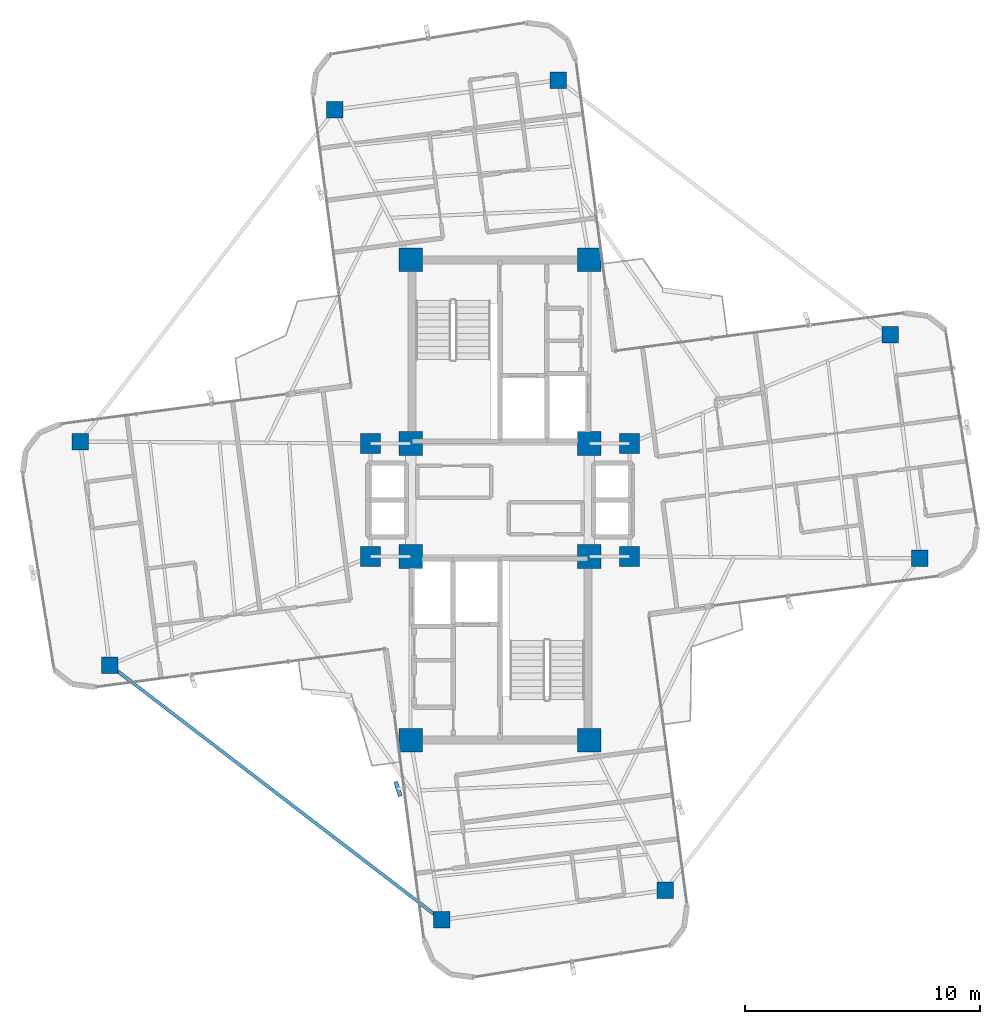
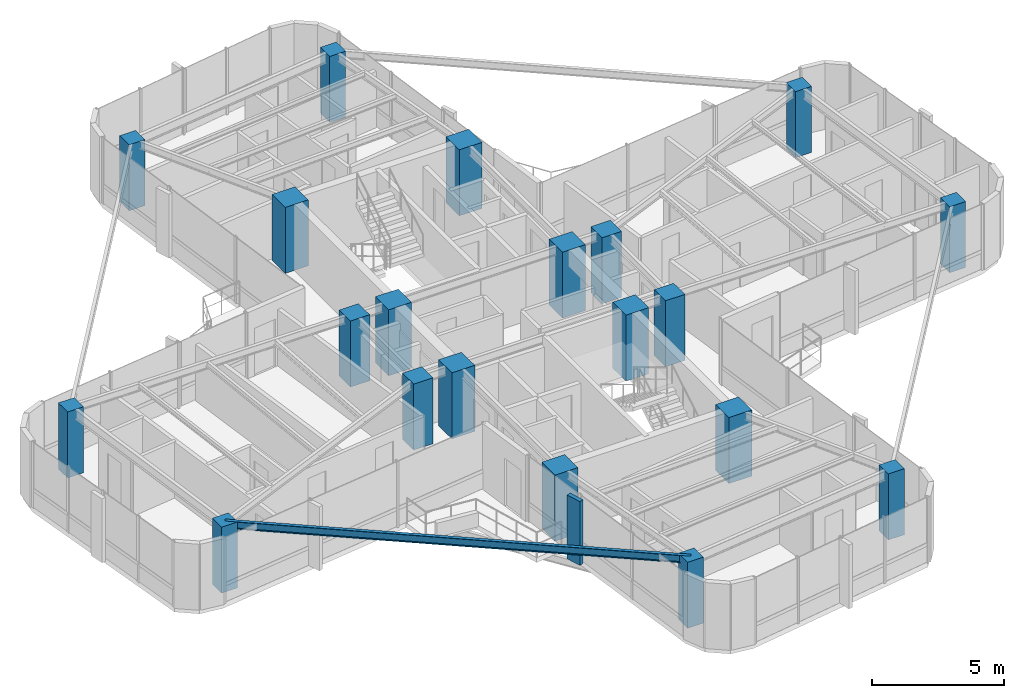
# One storey, part 1 of 23: 20 columns, 1 beam, 1 member, 1 element without a shape of its own.
"""IFC4 building model written with IfcOpenShell, lengths in metres."""

from ifc_helpers import new_model, si_unit, direction, frame, origin, origin_2d, place, context, subcontext, project, spatial, rectangle, i_section, extrude, source, transform, mapped, material, material_profile, profile_set, type_object, element, aggregate, save


model = new_model("IFC4")

# Units and contexts
model_context = context("Model", 3, precision=1e-05, world=origin(), true_north=direction((0.0, 1.0)))
body_context = subcontext(model_context, "Body", "Model", "MODEL_VIEW")
ifc_project = project(units=[si_unit("LENGTHUNIT", "METRE"), si_unit("AREAUNIT", "SQUARE_METRE"), si_unit("VOLUMEUNIT", "CUBIC_METRE"), si_unit("PLANEANGLEUNIT", "RADIAN"), si_unit("MASSUNIT", "GRAM", prefix="KILO")], contexts=[model_context])

# Site, building, storey
site_placement = place(None, origin())
site = spatial("IfcSite", under=ifc_project, at=site_placement, CompositionType="ELEMENT")
building_placement = place(site_placement, origin())
building = spatial("IfcBuilding", under=site, at=building_placement, Name="Sahyath Konkavel Grand Hotel", CompositionType="ELEMENT")
storey_placement = place(building_placement, frame((0.0, 0.0, 226.60009765625)))
storey = spatial("IfcBuildingStorey", under=building, at=storey_placement, Name="L63", CompositionType="ELEMENT", Elevation=226.60009765625)

# Columns
ifc_material_1 = material(Name="Concrete C50/60", Category="concrete")
ifc_material_profile_1 = material_profile(ifc_material_1, rectangle(XDim=1.0, YDim=1.0, at=origin_2d()), Name="RC 1000x1000")
ifc_profile_set_1 = profile_set([ifc_material_profile_1], Name="Concrete C50/60")
column_type_1 = type_object("IfcColumnType", Name="COL-RC1000", PredefinedType="COLUMN", material=ifc_profile_set_1)
shared_shape_1 = source(origin(), body_context, "Body", "SweptSolid", [
    extrude(rectangle(XDim=1.0, YDim=1.0, at=origin_2d()), origin(), (0.0, 0.0, 1.0), 3.0498046875),
])
for number, where, z_axis, x_axis, name in (
    (1, (-3.800048828125, 2.39990234375, 0.0), (0.0, 0.0, 1.0), (1.0, 0.0, 0.0), "L63 Core Boundary Column NC-SW"),
    (2, (3.800048828125, 2.39990234375, 0.0), (0.0, 0.0, 1.0), (1.0, 0.0, 0.0), "L63 Core Boundary Column NC-SE"),
    (3, (-3.800048828125, 10.199951171875, 0.0), (0.0, 0.0, 1.0), (1.0, 0.0, 0.0), "L63 Core Boundary Column NC-NW"),
    (4, (3.800048828125, 10.199951171875, 0.0), (0.0, 0.0, 1.0), (1.0, 0.0, 0.0), "L63 Core Boundary Column NC-NE"),
    (5, (-3.800048828125, -2.39990234375, 0.0), (0.0, 0.0, 1.0), (1.0, 0.0, 0.0), "L63 Core Boundary Column SC-NW"),
    (6, (3.800048828125, -2.39990234375, 0.0), (0.0, 0.0, 1.0), (1.0, 0.0, 0.0), "L63 Core Boundary Column SC-NE"),
    (7, (-3.800048828125, -10.199951171875, 0.0), (0.0, 0.0, 1.0), (1.0, 0.0, 0.0), "L63 Core Boundary Column SC-SW"),
    (8, (3.800048828125, -10.199951171875, 0.0), (0.0, 0.0, 1.0), (1.0, 0.0, 0.0), "L63 Core Boundary Column SC-SE"),
):
    element("IfcColumn", number, at=place(storey_placement, frame(where, z_axis=z_axis, x_axis=x_axis)), inside=storey, type_object=column_type_1, Name=name, PredefinedType="COLUMN", context=body_context, shape_type="MappedRepresentation", body=[
        mapped(shared_shape_1, transform((0.0, 0.0, 0.0), scale=1.0)),
    ])
ifc_material_2 = material(Name="Concrete C40/50", Category="concrete")
ifc_material_profile_2 = material_profile(ifc_material_2, rectangle(XDim=0.85009765625, YDim=0.85009765625, at=origin_2d()), Name="RC 850x850")
ifc_profile_set_2 = profile_set([ifc_material_profile_2], Name="Concrete C40/50")
column_type_2 = type_object("IfcColumnType", Name="COL-RC850", PredefinedType="COLUMN", material=ifc_profile_set_2)
shared_shape_2 = source(origin(), body_context, "Body", "SweptSolid", [
    extrude(rectangle(XDim=0.85009765625, YDim=0.85009765625, at=origin_2d()), origin(), (0.0, 0.0, 1.0), 3.0498046875),
])
for number, where, z_axis, x_axis, name in (
    (9, (5.5, 2.39990234375, 0.0), (0.0, 0.0, 1.0), (1.0, 0.0, 0.0), "L63 Central Spine Column HB-NE"),
    (10, (-5.5, 2.39990234375, 0.0), (0.0, 0.0, 1.0), (1.0, 0.0, 0.0), "L63 Central Spine Column HB-NW"),
    (11, (5.5, -2.39990234375, 0.0), (0.0, 0.0, 1.0), (1.0, 0.0, 0.0), "L63 Central Spine Column HB-SE"),
    (12, (-5.5, -2.39990234375, 0.0), (0.0, 0.0, 1.0), (1.0, 0.0, 0.0), "L63 Central Spine Column HB-SW"),
):
    element("IfcColumn", number, at=place(storey_placement, frame(where, z_axis=z_axis, x_axis=x_axis)), inside=storey, type_object=column_type_2, Name=name, PredefinedType="COLUMN", context=body_context, shape_type="MappedRepresentation", body=[
        mapped(shared_shape_2, transform((0.0, 0.0, 0.0), scale=1.0)),
    ])
ifc_material_profile_3 = material_profile(ifc_material_2, rectangle(XDim=0.699951171875, YDim=0.699951171875, at=origin_2d()), Name="RC 700x700")
ifc_profile_set_3 = profile_set([ifc_material_profile_3], Name="Concrete C40/50")
column_type_3 = type_object("IfcColumnType", Name="COL-RC700", PredefinedType="COLUMN", material=ifc_profile_set_3)
shared_shape_3 = source(origin(), body_context, "Body", "SweptSolid", [
    extrude(rectangle(XDim=0.699951171875, YDim=0.699951171875, at=origin_2d()), origin(), (0.0, 0.0, 1.0), 3.0498046875),
])
for number, where, z_axis, x_axis, name in (
    (13, (17.83642578125, -2.481201171875, 0.0), (0.0, 0.0, 1.0), (1.0, 0.0, 0.0), "L63 Cruciform Wing Column WC-EA"),
    (14, (16.58642578125, 7.012939453125, 0.0), (0.0, 0.0, 1.0), (1.0, 0.0, 0.0), "L63 Cruciform Wing Column WC-EB"),
    (15, (2.481201171875, 17.83642578125, 0.0), (0.0, 0.0, 1.0), (1.0, 0.0, 0.0), "L63 Cruciform Wing Column WC-NA"),
    (16, (-7.012939453125, 16.58642578125, 0.0), (0.0, 0.0, 1.0), (1.0, 0.0, 0.0), "L63 Cruciform Wing Column WC-NB"),
    (17, (-17.83642578125, 2.481201171875, 0.0), (0.0, 0.0, 1.0), (1.0, 0.0, 0.0), "L63 Cruciform Wing Column WC-WA"),
    (18, (-16.58642578125, -7.012939453125, 0.0), (0.0, 0.0, 1.0), (1.0, 0.0, 0.0), "L63 Cruciform Wing Column WC-WB"),
    (19, (-2.481201171875, -17.83642578125, 0.0), (0.0, 0.0, 1.0), (1.0, 0.0, 0.0), "L63 Cruciform Wing Column WC-SA"),
    (20, (7.012939453125, -16.58642578125, 0.0), (0.0, 0.0, 1.0), (1.0, 0.0, 0.0), "L63 Cruciform Wing Column WC-SB"),
):
    element("IfcColumn", number, at=place(storey_placement, frame(where, z_axis=z_axis, x_axis=x_axis)), inside=storey, type_object=column_type_3, Name=name, PredefinedType="COLUMN", context=body_context, shape_type="MappedRepresentation", body=[
        mapped(shared_shape_3, transform((0.0, 0.0, 0.0), scale=1.0)),
    ])

# Beam
ifc_material_3 = material(Name="Steel E350", Category="steel")
ifc_material_profile_4 = material_profile(ifc_material_3, i_section(OverallWidth=0.139892578125, OverallDepth=0.35009765625, WebThickness=0.008056640625, FlangeThickness=0.01416015625, FilletRadius=0.013916015625, at=origin_2d()), Name="ISMB 350")
ifc_profile_set_4 = profile_set([ifc_material_profile_4], Name="Steel E350")
beam_type = type_object("IfcBeamType", Name="BM-ISMB350", PredefinedType="BEAM", material=ifc_profile_set_4)
shared_shape_4 = source(origin(), body_context, "Body", "SweptSolid", [
    extrude(i_section(OverallWidth=0.139892578125, OverallDepth=0.35009765625, WebThickness=0.008056640625, FlangeThickness=0.01416015625, FilletRadius=0.013916015625, at=origin_2d()), origin(), (0.0, 0.0, 1.0), 17.779296875),
])
beam_placement = place(storey_placement, frame((-16.58642578125, -7.012939453125, 2.875), z_axis=(0.793348808894, -0.608767334395, 0.0), x_axis=(0.608767334395, 0.793348808894, 0.0)))
element("IfcBeam", 21, at=beam_placement, inside=storey, type_object=beam_type, Name="L63 Re-Entrant Tie Beam SW", PredefinedType="BEAM", context=body_context, shape_type="MappedRepresentation", body=[
    mapped(shared_shape_4, transform((0.0, 0.0, 0.0), scale=1.0)),
])

# Curtain wall, member
ifc_material_4 = material(Name="Anodised Bronze Aluminium & Low-E Glazing", Category="aluminium")
curtain_wall_type = type_object("IfcCurtainWallType", Name="CW-ZONE4", PredefinedType="NOTDEFINED", material=ifc_material_4)
curtain_wall_placement = place(storey_placement, origin())
curtain_wall = element("IfcCurtainWall", 22, at=curtain_wall_placement, inside=storey, type_object=curtain_wall_type, Name="L63 Unitised Curtain Wall F24", PredefinedType="NOTDEFINED")
ifc_material_5 = material(Name="Warm Buff Sandstone Cladding on Concrete C50/60", Category="masonry")
ifc_material_profile_5 = material_profile(ifc_material_5, rectangle(XDim=0.179931640625, YDim=0.64990234375, at=origin_2d()), Name="FIN 180x650")
ifc_profile_set_5 = profile_set([ifc_material_profile_5], Name="Warm Buff Sandstone Cladding on Concrete C50/60")
member_type = type_object("IfcMemberType", Name="FIN-SANDSTONE-650", PredefinedType="MULLION", material=ifc_profile_set_5)
shared_shape_5 = source(origin(), body_context, "Body", "SweptSolid", [
    extrude(rectangle(XDim=0.179931640625, YDim=0.64990234375, at=origin_2d()), origin(), (0.0, 0.0, 1.0), 2.9501953125),
])
member_placement = place(storey_placement, frame((-4.33251953125, -12.279296875, 0.0498046875), z_axis=(0.0, 0.0, 1.0), x_axis=(0.951808747363, 0.306692204733, 0.0)))
member = element("IfcMember", 23, at=member_placement, type_object=member_type, Name="L63 Sandstone Vertical Solar Fin FIN F24-1", PredefinedType="MULLION", context=body_context, shape_type="MappedRepresentation", body=[
    mapped(shared_shape_5, transform((0.0, 0.0, 0.0), scale=1.0)),
])
aggregate(curtain_wall, [member])

save(model, "model.ifc")
